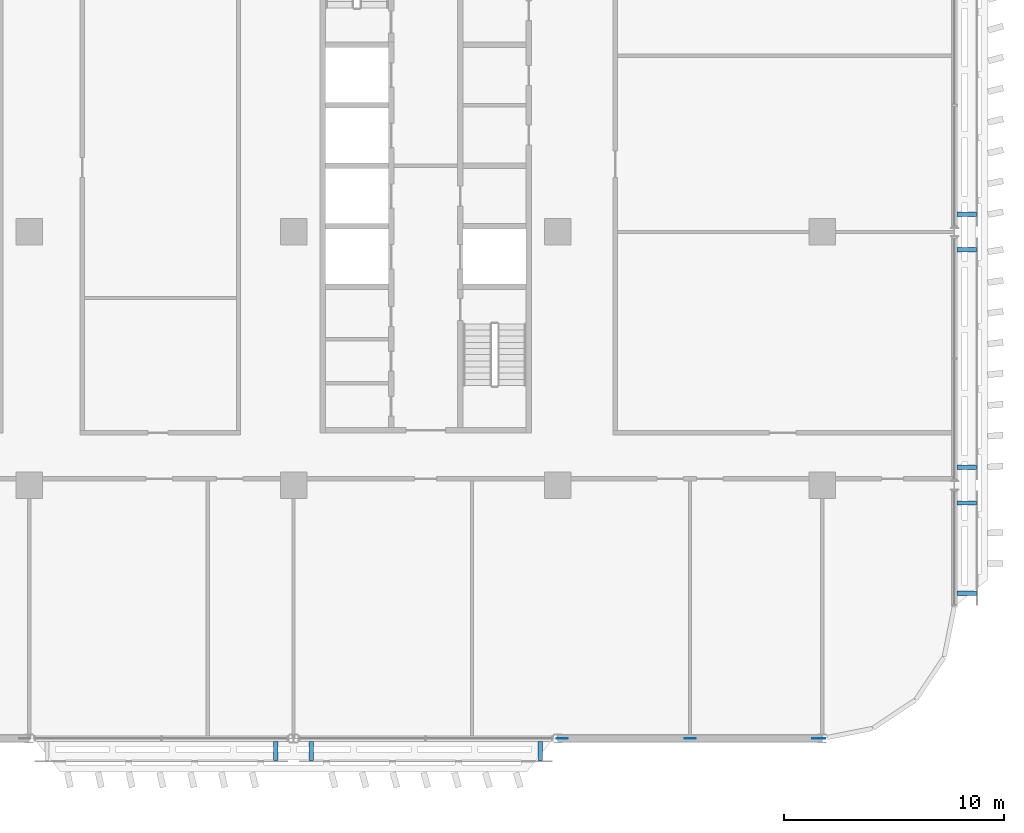
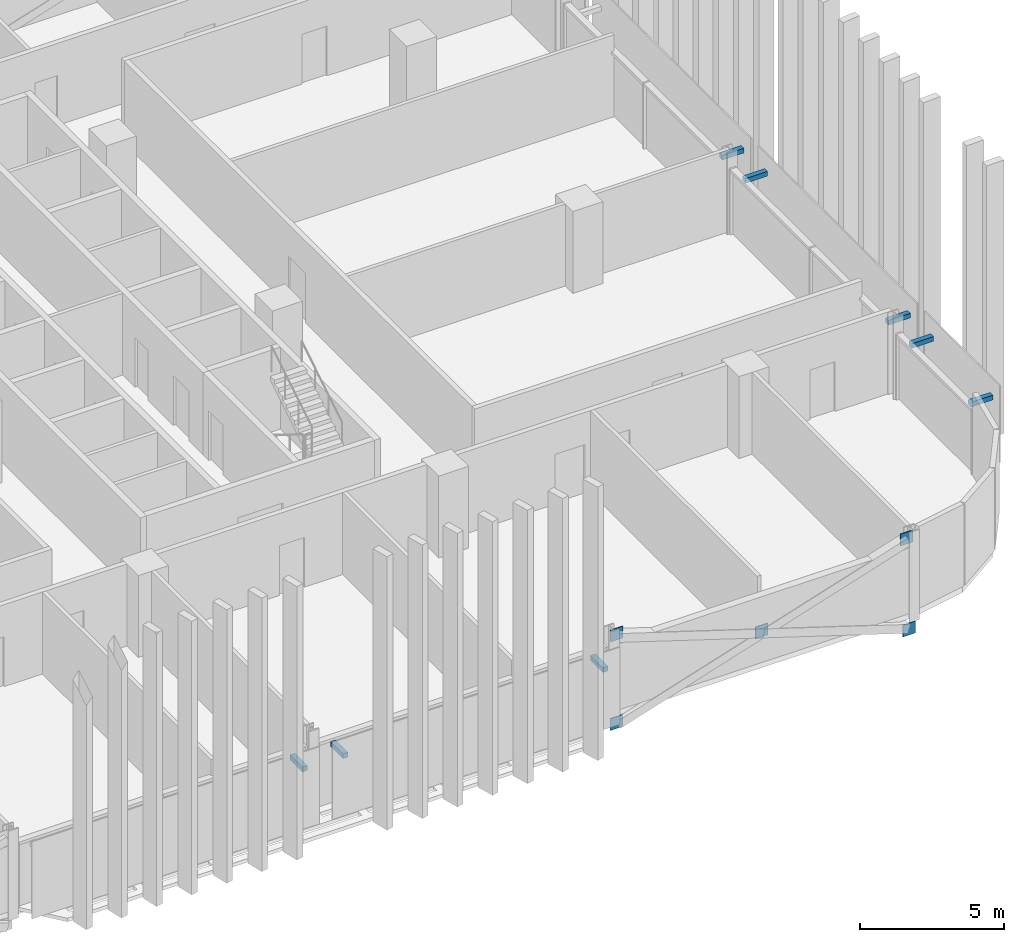
# One storey, part 20 of 30: 13 discrete accessories.
"""IFC4 building model written with IfcOpenShell, lengths in metres."""

from ifc_helpers import new_model, si_unit, direction, frame, origin, origin_2d, place, context, subcontext, project, spatial, rectangle, extrude, material, layer, layer_set, type_object, element, save


model = new_model("IFC4")

# Units and contexts
model_context = context("Model", 3, precision=1e-05, world=origin(), true_north=direction((0.0, 1.0)))
body_context = subcontext(model_context, "Body", "Model", "MODEL_VIEW")
ifc_project = project(units=[si_unit("LENGTHUNIT", "METRE"), si_unit("AREAUNIT", "SQUARE_METRE"), si_unit("VOLUMEUNIT", "CUBIC_METRE"), si_unit("PLANEANGLEUNIT", "RADIAN"), si_unit("MASSUNIT", "GRAM", prefix="KILO")], contexts=[model_context])

# Site, building, storey
site_placement = place(None, origin())
site = spatial("IfcSite", under=ifc_project, at=site_placement, CompositionType="ELEMENT")
building_placement = place(site_placement, origin())
building = spatial("IfcBuilding", under=site, at=building_placement, Name="Mahtab Terrace Research Tower", CompositionType="ELEMENT")
storey_placement = place(building_placement, frame((0.0, 0.0, 159.199951171875)))
storey = spatial("IfcBuildingStorey", under=building, at=storey_placement, Name="L37", CompositionType="ELEMENT", Elevation=159.199951171875)

# Discrete accessories
ifc_material_1 = material(Name="Black anodised aluminium", Category="aluminium")
discrete_accessory_type_1 = type_object("IfcDiscreteAccessoryType", Name="Facade bracket", PredefinedType="BRACKET", material=ifc_material_1)
for number, where, z_axis, x_axis, name in (
    (1, (17.19189453125, -23.5625, 2.48193359375), (0.0, 0.0, 1.0), (1.0, 0.0, 0.0), "Screen bracket Girih screen L37 S28"),
    (2, (18.80810546875, -23.5625, 2.48193359375), (0.0, 0.0, 1.0), (1.0, 0.0, 0.0), "Screen bracket Girih screen L37 S29"),
    (3, (29.19189453125, -23.5625, 2.48193359375), (0.0, 0.0, 1.0), (1.0, 0.0, 0.0), "Screen bracket Girih screen L37 S29"),
    (4, (48.5625, -16.39990234375, 2.48193359375), (0.0, 0.0, 1.0), (0.0, 1.0, 0.0), "Screen bracket Girih screen L37 E35"),
    (5, (48.5625, -12.30810546875, 2.48193359375), (0.0, 0.0, 1.0), (0.0, 1.0, 0.0), "Screen bracket Girih screen L37 E35"),
    (6, (48.5625, -10.69189453125, 2.48193359375), (0.0, 0.0, 1.0), (0.0, 1.0, 0.0), "Screen bracket Girih screen L37 E36"),
    (7, (48.5625, -0.80810546875, 2.48193359375), (0.0, 0.0, 1.0), (0.0, 1.0, 0.0), "Screen bracket Girih screen L37 E36"),
    (8, (48.5625, 0.80810546875, 2.48193359375), (0.0, 0.0, 1.0), (0.0, 1.0, 0.0), "Screen bracket Girih screen L37 E37"),
):
    element("IfcDiscreteAccessory", number, at=place(storey_placement, frame(where, z_axis=z_axis, x_axis=x_axis)), inside=storey, type_object=discrete_accessory_type_1, Name=name, PredefinedType="BRACKET", context=body_context, shape_type="SweptSolid", body=[
        extrude(rectangle(XDim=0.199951171875, YDim=0.875, at=origin_2d()), origin(), (0.0, 0.0, 1.0), 0.199951171875),
    ])
ifc_material_2 = material(Name="Steel ASTM A992 Gr 50", Category="steel")
ifc_layer = layer(ifc_material_2, 0.030029296875)
ifc_layer_set = layer_set([ifc_layer], Name="Gusset plate 500x500x30")
discrete_accessory_type_2 = type_object("IfcDiscreteAccessoryType", Name="Gusset plate 500x500x30", PredefinedType="USERDEFINED", material=ifc_layer_set)
for number, where, z_axis, x_axis, name in (
    (9, (30.203125, -23.0, -0.86474609375), (0.0, 0.0, 1.0), (1.0, 0.0, 0.0), "Gusset plate"),
    (10, (30.203125, -23.0, 2.870849609375), (0.0, 0.0, 1.0), (1.0, 0.0, 0.0), "Gusset plate"),
    (11, (36.0, -23.0, 0.970947265625), (0.0, 0.0, 1.0), (1.0, 0.0, 0.0), "Gusset plate"),
    (12, (41.8984375, -23.0, -1.0068359375), (0.0, 0.0, 1.0), (1.0, 0.0, 0.0), "Gusset plate"),
    (13, (41.796875, -23.0, 2.870849609375), (0.0, 0.0, 1.0), (1.0, 0.0, 0.0), "Gusset plate"),
):
    element("IfcDiscreteAccessory", number, at=place(storey_placement, frame(where, z_axis=z_axis, x_axis=x_axis)), inside=storey, type_object=discrete_accessory_type_2, Name=name, ObjectType="GUSSET PLATE", PredefinedType="USERDEFINED", context=body_context, shape_type="SweptSolid", body=[
        extrude(rectangle(XDim=0.5, YDim=0.030029296875, at=origin_2d()), origin(), (0.0, 0.0, 1.0), 0.5),
    ])

save(model, "model.ifc")
